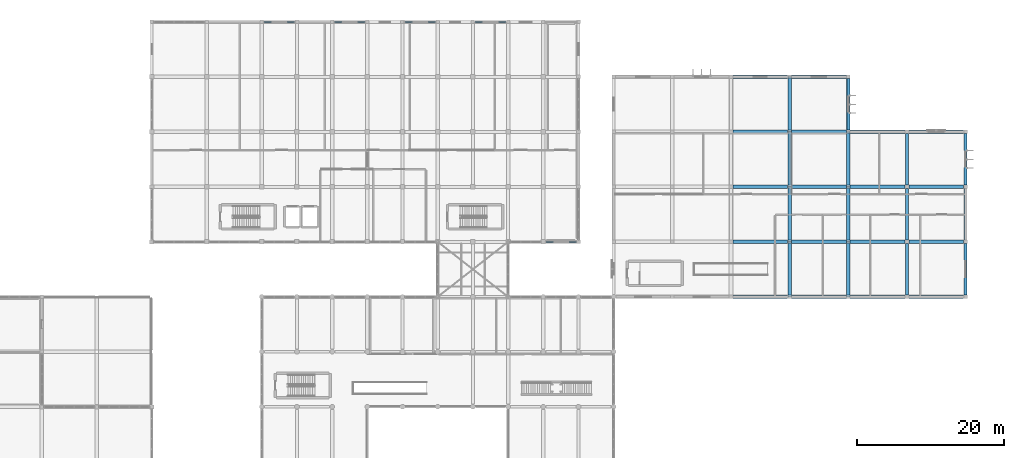
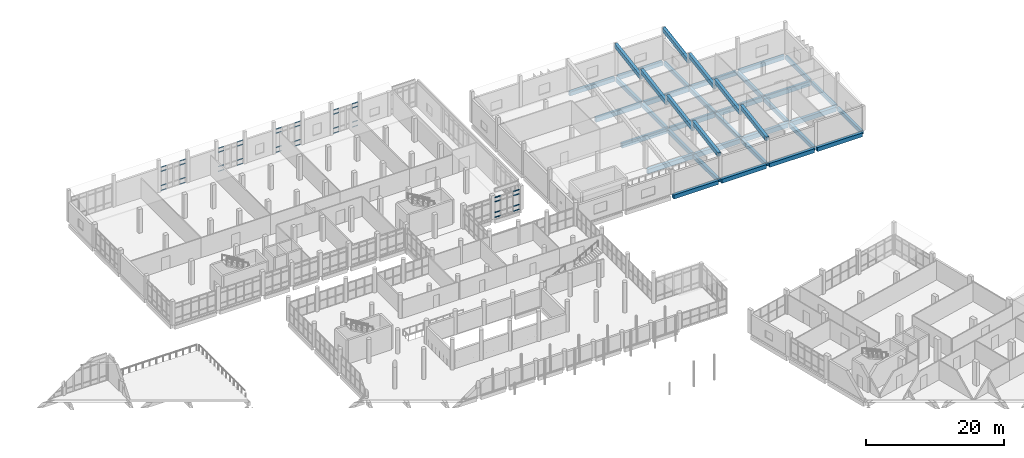
# One storey, part 118 of 164: 40 beams, 40 members, 5 elements without a shape of their own.
"""IFC4 building model written with IfcOpenShell, lengths in metres."""

from ifc_helpers import new_model, si_unit, direction, frame, origin, origin_2d, place, context, subcontext, project, spatial, rectangle, hollow_rectangle, extrude, material, layer, layer_set, material_profile, profile_set, type_object, element, aggregate, save


model = new_model("IFC4")

# Units and contexts
model_context = context("Model", 3, precision=1e-05, world=origin(), true_north=direction((0.0, 1.0)))
body_context = subcontext(model_context, "Body", "Model", "MODEL_VIEW")
ifc_project = project(units=[si_unit("LENGTHUNIT", "METRE"), si_unit("AREAUNIT", "SQUARE_METRE"), si_unit("VOLUMEUNIT", "CUBIC_METRE"), si_unit("PLANEANGLEUNIT", "RADIAN"), si_unit("MASSUNIT", "GRAM", prefix="KILO")], contexts=[model_context])

# Site, building, storey
site_placement = place(None, origin())
site = spatial("IfcSite", under=ifc_project, at=site_placement, CompositionType="ELEMENT")
building_placement = place(site_placement, origin())
building = spatial("IfcBuilding", under=site, at=building_placement, Name="Mawjan Specialist Oncology Clinic", CompositionType="ELEMENT")
storey_placement = place(building_placement, frame((0.0, 0.0, 5.0)))
storey = spatial("IfcBuildingStorey", under=building, at=storey_placement, Name="L01", CompositionType="ELEMENT", Elevation=5.0)

# Beams
ifc_material_1 = material(Name="Concrete C40/50", Category="concrete")
ifc_material_profile_1 = material_profile(ifc_material_1, rectangle(XDim=0.449951171875, YDim=0.699951171875, at=origin_2d()), Name="RC BM 450x700", Category="concrete")
ifc_profile_set_1 = profile_set([ifc_material_profile_1], Name="Concrete C40/50")
beam_type_1 = type_object("IfcBeamType", Name="BM-450x700", PredefinedType="BEAM", material=ifc_profile_set_1)
for number, where, z_axis, x_axis, name in (
    (1, (132.0, 76.06005859375, -0.64990234375), (0.0, 1.0, 0.0), (-1.0, 0.0, 0.0), "L01 Collector Beam BM-L01-0571"),
    (2, (132.0, 83.56005859375, -0.64990234375), (0.0, 1.0, 0.0), (-1.0, 0.0, 0.0), "L01 Collector Beam BM-L01-0572"),
    (3, (132.0, 91.06005859375, -0.64990234375), (0.0, 1.0, 0.0), (-1.0, 0.0, 0.0), "L01 Collector Beam BM-L01-0573"),
    (4, (132.0, 98.56005859375, -0.64990234375), (0.0, 1.0, 0.0), (-1.0, 0.0, 0.0), "L01 Collector Beam BM-L01-0574"),
    (5, (140.0, 76.06005859375, -0.64990234375), (0.0, 1.0, 0.0), (-1.0, 0.0, 0.0), "L01 Collector Beam BM-L01-0575"),
    (6, (140.0, 83.56005859375, -0.64990234375), (0.0, 1.0, 0.0), (-1.0, 0.0, 0.0), "L01 Collector Beam BM-L01-0576"),
    (7, (140.0, 91.06005859375, -0.64990234375), (0.0, 1.0, 0.0), (-1.0, 0.0, 0.0), "L01 Collector Beam BM-L01-0577"),
    (8, (148.0, 76.06005859375, -0.64990234375), (0.0, 1.0, 0.0), (-1.0, 0.0, 0.0), "L01 Collector Beam BM-L01-0579"),
    (9, (148.0, 83.56005859375, -0.64990234375), (0.0, 1.0, 0.0), (-1.0, 0.0, 0.0), "L01 Collector Beam BM-L01-0580"),
    (10, (148.0, 91.06005859375, -0.64990234375), (0.0, 1.0, 0.0), (-1.0, 0.0, 0.0), "L01 Collector Beam BM-L01-0581"),
):
    element("IfcBeam", number, at=place(storey_placement, frame(where, z_axis=z_axis, x_axis=x_axis)), inside=storey, type_object=beam_type_1, Name=name, PredefinedType="BEAM", context=body_context, shape_type="SweptSolid", body=[
        extrude(rectangle(XDim=0.449951171875, YDim=0.699951171875, at=origin_2d()), origin(), (0.0, 0.0, 1.0), 6.97998046875),
    ])
ifc_material_2 = material(Name="Concrete C45/55", Category="concrete")
ifc_material_profile_2 = material_profile(ifc_material_2, rectangle(XDim=0.5, YDim=0.800048828125, at=origin_2d()), Name="RC BM 500x800", Category="concrete")
ifc_profile_set_2 = profile_set([ifc_material_profile_2], Name="Concrete C45/55")
beam_type_2 = type_object("IfcBeamType", Name="BM-500x800", PredefinedType="BEAM", material=ifc_profile_set_2)
for number, where, z_axis, x_axis, name in (
    (11, (124.260009765625, 83.300048828125, -0.699951171875), (1.0, 0.0, 0.0), (0.0, 1.0, 0.0), "L01 Collector Beam BM-L01-0354"),
    (12, (132.260009765625, 83.300048828125, -0.699951171875), (1.0, 0.0, 0.0), (0.0, 1.0, 0.0), "L01 Collector Beam BM-L01-0355"),
    (13, (140.260009765625, 83.300048828125, -0.699951171875), (1.0, 0.0, 0.0), (0.0, 1.0, 0.0), "L01 Collector Beam BM-L01-0356"),
    (14, (148.260009765625, 83.300048828125, -0.699951171875), (1.0, 0.0, 0.0), (0.0, 1.0, 0.0), "L01 Collector Beam BM-L01-0357"),
    (15, (124.260009765625, 90.800048828125, -0.699951171875), (1.0, 0.0, 0.0), (0.0, 1.0, 0.0), "L01 Collector Beam BM-L01-0371"),
    (16, (132.260009765625, 90.800048828125, -0.699951171875), (1.0, 0.0, 0.0), (0.0, 1.0, 0.0), "L01 Collector Beam BM-L01-0372"),
    (17, (140.260009765625, 90.800048828125, -0.699951171875), (1.0, 0.0, 0.0), (0.0, 1.0, 0.0), "L01 Collector Beam BM-L01-0373"),
    (18, (148.260009765625, 90.800048828125, -0.699951171875), (1.0, 0.0, 0.0), (0.0, 1.0, 0.0), "L01 Collector Beam BM-L01-0374"),
    (19, (124.260009765625, 98.300048828125, -0.699951171875), (1.0, 0.0, 0.0), (0.0, 1.0, 0.0), "L01 Collector Beam BM-L01-0388"),
    (20, (132.260009765625, 98.300048828125, -0.699951171875), (1.0, 0.0, 0.0), (0.0, 1.0, 0.0), "L01 Collector Beam BM-L01-0389"),
):
    element("IfcBeam", number, at=place(storey_placement, frame(where, z_axis=z_axis, x_axis=x_axis)), inside=storey, type_object=beam_type_2, Name=name, PredefinedType="BEAM", context=body_context, shape_type="SweptSolid", body=[
        extrude(rectangle(XDim=0.5, YDim=0.800048828125, at=origin_2d()), origin(), (0.0, 0.0, 1.0), 7.47998046875),
    ])

# Curtain wall, members
ifc_material_3 = material(Name="Unitised spectrally selective aluminium curtain wall", Category="aluminium")
ifc_layer_1 = layer(ifc_material_3, 0.179931640625, Name="Unitised spectrally selective aluminium curtain wall", Category="aluminium")
ifc_layer_set_1 = layer_set([ifc_layer_1], Name="Unitised spectrally selective aluminium curtain wall")
curtain_wall_type_1 = type_object("IfcCurtainWallType", Name="CW-66", PredefinedType="NOTDEFINED", material=ifc_layer_set_1)
curtain_wall_1_placement = place(storey_placement, origin())
curtain_wall_1 = element("IfcCurtainWall", 21, at=curtain_wall_1_placement, inside=storey, type_object=curtain_wall_type_1, Name="L01 Unitised Curtain Wall CW-L01-126", PredefinedType="NOTDEFINED")
ifc_material_4 = material(Name="Thermally broken aluminium 6063-T6", Category="aluminium")
ifc_material_profile_3 = material_profile(ifc_material_4, hollow_rectangle(XDim=0.06005859375, YDim=0.1201171875, WallThickness=0.00390625, at=origin_2d()), Name="ALU TRANSOM 120x60x4", Category="aluminium")
ifc_profile_set_3 = profile_set([ifc_material_profile_3], Name="Thermally broken aluminium 6063-T6")
member_type_1 = type_object("IfcMemberType", Name="CW-T120", PredefinedType="USERDEFINED", material=ifc_profile_set_3)
member_1_placement = place(storey_placement, frame((102.8701171875, 83.300048828125, 0.030029296875), z_axis=(-1.0, 0.0, 0.0), x_axis=(0.0, -1.0, 0.0)))
member_1 = element("IfcMember", 22, at=member_1_placement, type_object=member_type_1, Name="CW-66 transom 1.1", ObjectType="TRANSOM", PredefinedType="USERDEFINED", context=body_context, shape_type="SweptSolid", body=[
    extrude(hollow_rectangle(XDim=0.06005859375, YDim=0.1201171875, WallThickness=0.00390625, at=origin_2d()), origin(), (0.0, 0.0, 1.0), 0.962646484375),
])
member_2_placement = place(storey_placement, frame((102.8701171875, 83.300048828125, 0.89990234375), z_axis=(-1.0, 0.0, 0.0), x_axis=(0.0, -1.0, 0.0)))
member_2 = element("IfcMember", 23, at=member_2_placement, type_object=member_type_1, Name="CW-66 transom 1.2", ObjectType="TRANSOM", PredefinedType="USERDEFINED", context=body_context, shape_type="SweptSolid", body=[
    extrude(hollow_rectangle(XDim=0.06005859375, YDim=0.1201171875, WallThickness=0.00390625, at=origin_2d()), origin(), (0.0, 0.0, 1.0), 0.962646484375),
])
member_3_placement = place(storey_placement, frame((102.8701171875, 83.300048828125, 2.784912109375), z_axis=(-1.0, 0.0, 0.0), x_axis=(0.0, -1.0, 0.0)))
member_3 = element("IfcMember", 24, at=member_3_placement, type_object=member_type_1, Name="CW-66 transom 1.3", ObjectType="TRANSOM", PredefinedType="USERDEFINED", context=body_context, shape_type="SweptSolid", body=[
    extrude(hollow_rectangle(XDim=0.06005859375, YDim=0.1201171875, WallThickness=0.00390625, at=origin_2d()), origin(), (0.0, 0.0, 1.0), 0.962646484375),
])
member_4_placement = place(storey_placement, frame((102.8701171875, 83.300048828125, 3.5048828125), z_axis=(-1.0, 0.0, 0.0), x_axis=(0.0, -1.0, 0.0)))
member_4 = element("IfcMember", 25, at=member_4_placement, type_object=member_type_1, Name="CW-66 transom 1.4", ObjectType="TRANSOM", PredefinedType="USERDEFINED", context=body_context, shape_type="SweptSolid", body=[
    extrude(hollow_rectangle(XDim=0.06005859375, YDim=0.1201171875, WallThickness=0.00390625, at=origin_2d()), origin(), (0.0, 0.0, 1.0), 0.962646484375),
])
member_5_placement = place(storey_placement, frame((99.742431640625, 83.300048828125, 0.030029296875), z_axis=(-1.0, 0.0, 0.0), x_axis=(0.0, -1.0, 0.0)))
member_5 = element("IfcMember", 26, at=member_5_placement, type_object=member_type_1, Name="CW-66 transom 4.1", ObjectType="TRANSOM", PredefinedType="USERDEFINED", context=body_context, shape_type="SweptSolid", body=[
    extrude(hollow_rectangle(XDim=0.06005859375, YDim=0.1201171875, WallThickness=0.00390625, at=origin_2d()), origin(), (0.0, 0.0, 1.0), 0.96240234375),
])
member_6_placement = place(storey_placement, frame((99.742431640625, 83.300048828125, 0.89990234375), z_axis=(-1.0, 0.0, 0.0), x_axis=(0.0, -1.0, 0.0)))
member_6 = element("IfcMember", 27, at=member_6_placement, type_object=member_type_1, Name="CW-66 transom 4.2", ObjectType="TRANSOM", PredefinedType="USERDEFINED", context=body_context, shape_type="SweptSolid", body=[
    extrude(hollow_rectangle(XDim=0.06005859375, YDim=0.1201171875, WallThickness=0.00390625, at=origin_2d()), origin(), (0.0, 0.0, 1.0), 0.96240234375),
])
member_7_placement = place(storey_placement, frame((99.742431640625, 83.300048828125, 2.784912109375), z_axis=(-1.0, 0.0, 0.0), x_axis=(0.0, -1.0, 0.0)))
member_7 = element("IfcMember", 28, at=member_7_placement, type_object=member_type_1, Name="CW-66 transom 4.3", ObjectType="TRANSOM", PredefinedType="USERDEFINED", context=body_context, shape_type="SweptSolid", body=[
    extrude(hollow_rectangle(XDim=0.06005859375, YDim=0.1201171875, WallThickness=0.00390625, at=origin_2d()), origin(), (0.0, 0.0, 1.0), 0.96240234375),
])
member_8_placement = place(storey_placement, frame((99.742431640625, 83.300048828125, 3.5048828125), z_axis=(-1.0, 0.0, 0.0), x_axis=(0.0, -1.0, 0.0)))
member_8 = element("IfcMember", 29, at=member_8_placement, type_object=member_type_1, Name="CW-66 transom 4.4", ObjectType="TRANSOM", PredefinedType="USERDEFINED", context=body_context, shape_type="SweptSolid", body=[
    extrude(hollow_rectangle(XDim=0.06005859375, YDim=0.1201171875, WallThickness=0.00390625, at=origin_2d()), origin(), (0.0, 0.0, 1.0), 0.96240234375),
])
aggregate(curtain_wall_1, [member_1, member_2, member_3, member_4, member_5, member_6, member_7, member_8])

ifc_material_5 = material(Name="Unitised spectrally selective aluminium curtain wall", Category="aluminium")
ifc_layer_2 = layer(ifc_material_5, 0.179931640625, Name="Unitised spectrally selective aluminium curtain wall", Category="aluminium")
ifc_layer_set_2 = layer_set([ifc_layer_2], Name="Unitised spectrally selective aluminium curtain wall")
curtain_wall_type_2 = type_object("IfcCurtainWallType", Name="CW-63", PredefinedType="NOTDEFINED", material=ifc_layer_set_2)
curtain_wall_2_placement = place(storey_placement, origin())
curtain_wall_2 = element("IfcCurtainWall", 30, at=curtain_wall_2_placement, inside=storey, type_object=curtain_wall_type_2, Name="L01 Unitised Curtain Wall CW-L01-119", PredefinedType="NOTDEFINED")
ifc_material_6 = material(Name="Thermally broken aluminium 6063-T6", Category="aluminium")
ifc_material_profile_4 = material_profile(ifc_material_6, hollow_rectangle(XDim=0.070068359375, YDim=0.159912109375, WallThickness=0.00390625, at=origin_2d()), Name="ALU TRANSOM 160x70x4", Category="aluminium")
ifc_profile_set_4 = profile_set([ifc_material_profile_4], Name="Thermally broken aluminium 6063-T6")
member_type_2 = type_object("IfcMemberType", Name="CW-T160", PredefinedType="USERDEFINED", material=ifc_profile_set_4)
member_9_placement = place(storey_placement, frame((60.340087890625, 113.300048828125, 0.034912109375), z_axis=(1.0, 0.0, 0.0), x_axis=(0.0, 1.0, 0.0)))
member_9 = element("IfcMember", 31, at=member_9_placement, type_object=member_type_2, Name="CW-63 transom 1.1", ObjectType="TRANSOM", PredefinedType="USERDEFINED", context=body_context, shape_type="SweptSolid", body=[
    extrude(hollow_rectangle(XDim=0.070068359375, YDim=0.159912109375, WallThickness=0.00390625, at=origin_2d()), origin(), (0.0, 0.0, 1.0), 0.9599609375),
])
member_10_placement = place(storey_placement, frame((60.340087890625, 113.300048828125, 0.89990234375), z_axis=(1.0, 0.0, 0.0), x_axis=(0.0, 1.0, 0.0)))
member_10 = element("IfcMember", 32, at=member_10_placement, type_object=member_type_2, Name="CW-63 transom 1.2", ObjectType="TRANSOM", PredefinedType="USERDEFINED", context=body_context, shape_type="SweptSolid", body=[
    extrude(hollow_rectangle(XDim=0.070068359375, YDim=0.159912109375, WallThickness=0.00390625, at=origin_2d()), origin(), (0.0, 0.0, 1.0), 0.9599609375),
])
member_11_placement = place(storey_placement, frame((60.340087890625, 113.300048828125, 3.419921875), z_axis=(1.0, 0.0, 0.0), x_axis=(0.0, 1.0, 0.0)))
member_11 = element("IfcMember", 33, at=member_11_placement, type_object=member_type_2, Name="CW-63 transom 1.3", ObjectType="TRANSOM", PredefinedType="USERDEFINED", context=body_context, shape_type="SweptSolid", body=[
    extrude(hollow_rectangle(XDim=0.070068359375, YDim=0.159912109375, WallThickness=0.00390625, at=origin_2d()), origin(), (0.0, 0.0, 1.0), 0.9599609375),
])
member_12_placement = place(storey_placement, frame((60.340087890625, 113.300048828125, 4.135009765625), z_axis=(1.0, 0.0, 0.0), x_axis=(0.0, 1.0, 0.0)))
member_12 = element("IfcMember", 34, at=member_12_placement, type_object=member_type_2, Name="CW-63 transom 1.4", ObjectType="TRANSOM", PredefinedType="USERDEFINED", context=body_context, shape_type="SweptSolid", body=[
    extrude(hollow_rectangle(XDim=0.070068359375, YDim=0.159912109375, WallThickness=0.00390625, at=origin_2d()), origin(), (0.0, 0.0, 1.0), 0.9599609375),
])
member_13_placement = place(storey_placement, frame((63.5, 113.300048828125, 0.034912109375), z_axis=(1.0, 0.0, 0.0), x_axis=(0.0, 1.0, 0.0)))
member_13 = element("IfcMember", 35, at=member_13_placement, type_object=member_type_2, Name="CW-63 transom 4.1", ObjectType="TRANSOM", PredefinedType="USERDEFINED", context=body_context, shape_type="SweptSolid", body=[
    extrude(hollow_rectangle(XDim=0.070068359375, YDim=0.159912109375, WallThickness=0.00390625, at=origin_2d()), origin(), (0.0, 0.0, 1.0), 0.9599609375),
])
member_14_placement = place(storey_placement, frame((63.5, 113.300048828125, 0.89990234375), z_axis=(1.0, 0.0, 0.0), x_axis=(0.0, 1.0, 0.0)))
member_14 = element("IfcMember", 36, at=member_14_placement, type_object=member_type_2, Name="CW-63 transom 4.2", ObjectType="TRANSOM", PredefinedType="USERDEFINED", context=body_context, shape_type="SweptSolid", body=[
    extrude(hollow_rectangle(XDim=0.070068359375, YDim=0.159912109375, WallThickness=0.00390625, at=origin_2d()), origin(), (0.0, 0.0, 1.0), 0.9599609375),
])
member_15_placement = place(storey_placement, frame((63.5, 113.300048828125, 3.419921875), z_axis=(1.0, 0.0, 0.0), x_axis=(0.0, 1.0, 0.0)))
member_15 = element("IfcMember", 37, at=member_15_placement, type_object=member_type_2, Name="CW-63 transom 4.3", ObjectType="TRANSOM", PredefinedType="USERDEFINED", context=body_context, shape_type="SweptSolid", body=[
    extrude(hollow_rectangle(XDim=0.070068359375, YDim=0.159912109375, WallThickness=0.00390625, at=origin_2d()), origin(), (0.0, 0.0, 1.0), 0.9599609375),
])
member_16_placement = place(storey_placement, frame((63.5, 113.300048828125, 4.135009765625), z_axis=(1.0, 0.0, 0.0), x_axis=(0.0, 1.0, 0.0)))
member_16 = element("IfcMember", 38, at=member_16_placement, type_object=member_type_2, Name="CW-63 transom 4.4", ObjectType="TRANSOM", PredefinedType="USERDEFINED", context=body_context, shape_type="SweptSolid", body=[
    extrude(hollow_rectangle(XDim=0.070068359375, YDim=0.159912109375, WallThickness=0.00390625, at=origin_2d()), origin(), (0.0, 0.0, 1.0), 0.9599609375),
])
aggregate(curtain_wall_2, [member_9, member_10, member_11, member_12, member_13, member_14, member_15, member_16])

curtain_wall_3_placement = place(storey_placement, origin())
curtain_wall_3 = element("IfcCurtainWall", 39, at=curtain_wall_3_placement, inside=storey, type_object=curtain_wall_type_2, Name="L01 Unitised Curtain Wall CW-L01-120", PredefinedType="NOTDEFINED")
member_17_placement = place(storey_placement, frame((69.93994140625, 113.300048828125, 0.034912109375), z_axis=(1.0, 0.0, 0.0), x_axis=(0.0, 1.0, 0.0)))
member_17 = element("IfcMember", 40, at=member_17_placement, type_object=member_type_2, Name="CW-63 transom 1.1", ObjectType="TRANSOM", PredefinedType="USERDEFINED", context=body_context, shape_type="SweptSolid", body=[
    extrude(hollow_rectangle(XDim=0.070068359375, YDim=0.159912109375, WallThickness=0.00390625, at=origin_2d()), origin(), (0.0, 0.0, 1.0), 0.9599609375),
])
member_18_placement = place(storey_placement, frame((69.93994140625, 113.300048828125, 0.89990234375), z_axis=(1.0, 0.0, 0.0), x_axis=(0.0, 1.0, 0.0)))
member_18 = element("IfcMember", 41, at=member_18_placement, type_object=member_type_2, Name="CW-63 transom 1.2", ObjectType="TRANSOM", PredefinedType="USERDEFINED", context=body_context, shape_type="SweptSolid", body=[
    extrude(hollow_rectangle(XDim=0.070068359375, YDim=0.159912109375, WallThickness=0.00390625, at=origin_2d()), origin(), (0.0, 0.0, 1.0), 0.9599609375),
])
member_19_placement = place(storey_placement, frame((69.93994140625, 113.300048828125, 3.419921875), z_axis=(1.0, 0.0, 0.0), x_axis=(0.0, 1.0, 0.0)))
member_19 = element("IfcMember", 42, at=member_19_placement, type_object=member_type_2, Name="CW-63 transom 1.3", ObjectType="TRANSOM", PredefinedType="USERDEFINED", context=body_context, shape_type="SweptSolid", body=[
    extrude(hollow_rectangle(XDim=0.070068359375, YDim=0.159912109375, WallThickness=0.00390625, at=origin_2d()), origin(), (0.0, 0.0, 1.0), 0.9599609375),
])
member_20_placement = place(storey_placement, frame((69.93994140625, 113.300048828125, 4.135009765625), z_axis=(1.0, 0.0, 0.0), x_axis=(0.0, 1.0, 0.0)))
member_20 = element("IfcMember", 43, at=member_20_placement, type_object=member_type_2, Name="CW-63 transom 1.4", ObjectType="TRANSOM", PredefinedType="USERDEFINED", context=body_context, shape_type="SweptSolid", body=[
    extrude(hollow_rectangle(XDim=0.070068359375, YDim=0.159912109375, WallThickness=0.00390625, at=origin_2d()), origin(), (0.0, 0.0, 1.0), 0.9599609375),
])
member_21_placement = place(storey_placement, frame((73.10009765625, 113.300048828125, 0.034912109375), z_axis=(1.0, 0.0, 0.0), x_axis=(0.0, 1.0, 0.0)))
member_21 = element("IfcMember", 44, at=member_21_placement, type_object=member_type_2, Name="CW-63 transom 4.1", ObjectType="TRANSOM", PredefinedType="USERDEFINED", context=body_context, shape_type="SweptSolid", body=[
    extrude(hollow_rectangle(XDim=0.070068359375, YDim=0.159912109375, WallThickness=0.00390625, at=origin_2d()), origin(), (0.0, 0.0, 1.0), 0.9599609375),
])
member_22_placement = place(storey_placement, frame((73.10009765625, 113.300048828125, 0.89990234375), z_axis=(1.0, 0.0, 0.0), x_axis=(0.0, 1.0, 0.0)))
member_22 = element("IfcMember", 45, at=member_22_placement, type_object=member_type_2, Name="CW-63 transom 4.2", ObjectType="TRANSOM", PredefinedType="USERDEFINED", context=body_context, shape_type="SweptSolid", body=[
    extrude(hollow_rectangle(XDim=0.070068359375, YDim=0.159912109375, WallThickness=0.00390625, at=origin_2d()), origin(), (0.0, 0.0, 1.0), 0.9599609375),
])
member_23_placement = place(storey_placement, frame((73.10009765625, 113.300048828125, 3.419921875), z_axis=(1.0, 0.0, 0.0), x_axis=(0.0, 1.0, 0.0)))
member_23 = element("IfcMember", 46, at=member_23_placement, type_object=member_type_2, Name="CW-63 transom 4.3", ObjectType="TRANSOM", PredefinedType="USERDEFINED", context=body_context, shape_type="SweptSolid", body=[
    extrude(hollow_rectangle(XDim=0.070068359375, YDim=0.159912109375, WallThickness=0.00390625, at=origin_2d()), origin(), (0.0, 0.0, 1.0), 0.9599609375),
])
member_24_placement = place(storey_placement, frame((73.10009765625, 113.300048828125, 4.135009765625), z_axis=(1.0, 0.0, 0.0), x_axis=(0.0, 1.0, 0.0)))
member_24 = element("IfcMember", 47, at=member_24_placement, type_object=member_type_2, Name="CW-63 transom 4.4", ObjectType="TRANSOM", PredefinedType="USERDEFINED", context=body_context, shape_type="SweptSolid", body=[
    extrude(hollow_rectangle(XDim=0.070068359375, YDim=0.159912109375, WallThickness=0.00390625, at=origin_2d()), origin(), (0.0, 0.0, 1.0), 0.9599609375),
])
aggregate(curtain_wall_3, [member_17, member_18, member_19, member_20, member_21, member_22, member_23, member_24])

curtain_wall_4_placement = place(storey_placement, origin())
curtain_wall_4 = element("IfcCurtainWall", 48, at=curtain_wall_4_placement, inside=storey, type_object=curtain_wall_type_2, Name="L01 Unitised Curtain Wall CW-L01-121", PredefinedType="NOTDEFINED")
member_25_placement = place(storey_placement, frame((79.5400390625, 113.300048828125, 0.034912109375), z_axis=(1.0, 0.0, 0.0), x_axis=(0.0, 1.0, 0.0)))
member_25 = element("IfcMember", 49, at=member_25_placement, type_object=member_type_2, Name="CW-63 transom 1.1", ObjectType="TRANSOM", PredefinedType="USERDEFINED", context=body_context, shape_type="SweptSolid", body=[
    extrude(hollow_rectangle(XDim=0.070068359375, YDim=0.159912109375, WallThickness=0.00390625, at=origin_2d()), origin(), (0.0, 0.0, 1.0), 0.9599609375),
])
member_26_placement = place(storey_placement, frame((79.5400390625, 113.300048828125, 0.89990234375), z_axis=(1.0, 0.0, 0.0), x_axis=(0.0, 1.0, 0.0)))
member_26 = element("IfcMember", 50, at=member_26_placement, type_object=member_type_2, Name="CW-63 transom 1.2", ObjectType="TRANSOM", PredefinedType="USERDEFINED", context=body_context, shape_type="SweptSolid", body=[
    extrude(hollow_rectangle(XDim=0.070068359375, YDim=0.159912109375, WallThickness=0.00390625, at=origin_2d()), origin(), (0.0, 0.0, 1.0), 0.9599609375),
])
member_27_placement = place(storey_placement, frame((79.5400390625, 113.300048828125, 3.419921875), z_axis=(1.0, 0.0, 0.0), x_axis=(0.0, 1.0, 0.0)))
member_27 = element("IfcMember", 51, at=member_27_placement, type_object=member_type_2, Name="CW-63 transom 1.3", ObjectType="TRANSOM", PredefinedType="USERDEFINED", context=body_context, shape_type="SweptSolid", body=[
    extrude(hollow_rectangle(XDim=0.070068359375, YDim=0.159912109375, WallThickness=0.00390625, at=origin_2d()), origin(), (0.0, 0.0, 1.0), 0.9599609375),
])
member_28_placement = place(storey_placement, frame((79.5400390625, 113.300048828125, 4.135009765625), z_axis=(1.0, 0.0, 0.0), x_axis=(0.0, 1.0, 0.0)))
member_28 = element("IfcMember", 52, at=member_28_placement, type_object=member_type_2, Name="CW-63 transom 1.4", ObjectType="TRANSOM", PredefinedType="USERDEFINED", context=body_context, shape_type="SweptSolid", body=[
    extrude(hollow_rectangle(XDim=0.070068359375, YDim=0.159912109375, WallThickness=0.00390625, at=origin_2d()), origin(), (0.0, 0.0, 1.0), 0.9599609375),
])
member_29_placement = place(storey_placement, frame((82.699951171875, 113.300048828125, 0.034912109375), z_axis=(1.0, 0.0, 0.0), x_axis=(0.0, 1.0, 0.0)))
member_29 = element("IfcMember", 53, at=member_29_placement, type_object=member_type_2, Name="CW-63 transom 4.1", ObjectType="TRANSOM", PredefinedType="USERDEFINED", context=body_context, shape_type="SweptSolid", body=[
    extrude(hollow_rectangle(XDim=0.070068359375, YDim=0.159912109375, WallThickness=0.00390625, at=origin_2d()), origin(), (0.0, 0.0, 1.0), 0.9599609375),
])
member_30_placement = place(storey_placement, frame((82.699951171875, 113.300048828125, 0.89990234375), z_axis=(1.0, 0.0, 0.0), x_axis=(0.0, 1.0, 0.0)))
member_30 = element("IfcMember", 54, at=member_30_placement, type_object=member_type_2, Name="CW-63 transom 4.2", ObjectType="TRANSOM", PredefinedType="USERDEFINED", context=body_context, shape_type="SweptSolid", body=[
    extrude(hollow_rectangle(XDim=0.070068359375, YDim=0.159912109375, WallThickness=0.00390625, at=origin_2d()), origin(), (0.0, 0.0, 1.0), 0.9599609375),
])
member_31_placement = place(storey_placement, frame((82.699951171875, 113.300048828125, 3.419921875), z_axis=(1.0, 0.0, 0.0), x_axis=(0.0, 1.0, 0.0)))
member_31 = element("IfcMember", 55, at=member_31_placement, type_object=member_type_2, Name="CW-63 transom 4.3", ObjectType="TRANSOM", PredefinedType="USERDEFINED", context=body_context, shape_type="SweptSolid", body=[
    extrude(hollow_rectangle(XDim=0.070068359375, YDim=0.159912109375, WallThickness=0.00390625, at=origin_2d()), origin(), (0.0, 0.0, 1.0), 0.9599609375),
])
member_32_placement = place(storey_placement, frame((82.699951171875, 113.300048828125, 4.135009765625), z_axis=(1.0, 0.0, 0.0), x_axis=(0.0, 1.0, 0.0)))
member_32 = element("IfcMember", 56, at=member_32_placement, type_object=member_type_2, Name="CW-63 transom 4.4", ObjectType="TRANSOM", PredefinedType="USERDEFINED", context=body_context, shape_type="SweptSolid", body=[
    extrude(hollow_rectangle(XDim=0.070068359375, YDim=0.159912109375, WallThickness=0.00390625, at=origin_2d()), origin(), (0.0, 0.0, 1.0), 0.9599609375),
])
aggregate(curtain_wall_4, [member_25, member_26, member_27, member_28, member_29, member_30, member_31, member_32])

curtain_wall_5_placement = place(storey_placement, origin())
curtain_wall_5 = element("IfcCurtainWall", 57, at=curtain_wall_5_placement, inside=storey, type_object=curtain_wall_type_2, Name="L01 Unitised Curtain Wall CW-L01-122", PredefinedType="NOTDEFINED")
member_33_placement = place(storey_placement, frame((89.139892578125, 113.300048828125, 0.034912109375), z_axis=(1.0, 0.0, 0.0), x_axis=(0.0, 1.0, 0.0)))
member_33 = element("IfcMember", 58, at=member_33_placement, type_object=member_type_2, Name="CW-63 transom 1.1", ObjectType="TRANSOM", PredefinedType="USERDEFINED", context=body_context, shape_type="SweptSolid", body=[
    extrude(hollow_rectangle(XDim=0.070068359375, YDim=0.159912109375, WallThickness=0.00390625, at=origin_2d()), origin(), (0.0, 0.0, 1.0), 0.960205078125),
])
member_34_placement = place(storey_placement, frame((89.139892578125, 113.300048828125, 0.89990234375), z_axis=(1.0, 0.0, 0.0), x_axis=(0.0, 1.0, 0.0)))
member_34 = element("IfcMember", 59, at=member_34_placement, type_object=member_type_2, Name="CW-63 transom 1.2", ObjectType="TRANSOM", PredefinedType="USERDEFINED", context=body_context, shape_type="SweptSolid", body=[
    extrude(hollow_rectangle(XDim=0.070068359375, YDim=0.159912109375, WallThickness=0.00390625, at=origin_2d()), origin(), (0.0, 0.0, 1.0), 0.960205078125),
])
member_35_placement = place(storey_placement, frame((89.139892578125, 113.300048828125, 3.419921875), z_axis=(1.0, 0.0, 0.0), x_axis=(0.0, 1.0, 0.0)))
member_35 = element("IfcMember", 60, at=member_35_placement, type_object=member_type_2, Name="CW-63 transom 1.3", ObjectType="TRANSOM", PredefinedType="USERDEFINED", context=body_context, shape_type="SweptSolid", body=[
    extrude(hollow_rectangle(XDim=0.070068359375, YDim=0.159912109375, WallThickness=0.00390625, at=origin_2d()), origin(), (0.0, 0.0, 1.0), 0.960205078125),
])
member_36_placement = place(storey_placement, frame((89.139892578125, 113.300048828125, 4.135009765625), z_axis=(1.0, 0.0, 0.0), x_axis=(0.0, 1.0, 0.0)))
member_36 = element("IfcMember", 61, at=member_36_placement, type_object=member_type_2, Name="CW-63 transom 1.4", ObjectType="TRANSOM", PredefinedType="USERDEFINED", context=body_context, shape_type="SweptSolid", body=[
    extrude(hollow_rectangle(XDim=0.070068359375, YDim=0.159912109375, WallThickness=0.00390625, at=origin_2d()), origin(), (0.0, 0.0, 1.0), 0.960205078125),
])
member_37_placement = place(storey_placement, frame((92.300048828125, 113.300048828125, 0.034912109375), z_axis=(1.0, 0.0, 0.0), x_axis=(0.0, 1.0, 0.0)))
member_37 = element("IfcMember", 62, at=member_37_placement, type_object=member_type_2, Name="CW-63 transom 4.1", ObjectType="TRANSOM", PredefinedType="USERDEFINED", context=body_context, shape_type="SweptSolid", body=[
    extrude(hollow_rectangle(XDim=0.070068359375, YDim=0.159912109375, WallThickness=0.00390625, at=origin_2d()), origin(), (0.0, 0.0, 1.0), 0.9599609375),
])
member_38_placement = place(storey_placement, frame((92.300048828125, 113.300048828125, 0.89990234375), z_axis=(1.0, 0.0, 0.0), x_axis=(0.0, 1.0, 0.0)))
member_38 = element("IfcMember", 63, at=member_38_placement, type_object=member_type_2, Name="CW-63 transom 4.2", ObjectType="TRANSOM", PredefinedType="USERDEFINED", context=body_context, shape_type="SweptSolid", body=[
    extrude(hollow_rectangle(XDim=0.070068359375, YDim=0.159912109375, WallThickness=0.00390625, at=origin_2d()), origin(), (0.0, 0.0, 1.0), 0.9599609375),
])
member_39_placement = place(storey_placement, frame((92.300048828125, 113.300048828125, 3.419921875), z_axis=(1.0, 0.0, 0.0), x_axis=(0.0, 1.0, 0.0)))
member_39 = element("IfcMember", 64, at=member_39_placement, type_object=member_type_2, Name="CW-63 transom 4.3", ObjectType="TRANSOM", PredefinedType="USERDEFINED", context=body_context, shape_type="SweptSolid", body=[
    extrude(hollow_rectangle(XDim=0.070068359375, YDim=0.159912109375, WallThickness=0.00390625, at=origin_2d()), origin(), (0.0, 0.0, 1.0), 0.9599609375),
])
member_40_placement = place(storey_placement, frame((92.300048828125, 113.300048828125, 4.135009765625), z_axis=(1.0, 0.0, 0.0), x_axis=(0.0, 1.0, 0.0)))
member_40 = element("IfcMember", 65, at=member_40_placement, type_object=member_type_2, Name="CW-63 transom 4.4", ObjectType="TRANSOM", PredefinedType="USERDEFINED", context=body_context, shape_type="SweptSolid", body=[
    extrude(hollow_rectangle(XDim=0.070068359375, YDim=0.159912109375, WallThickness=0.00390625, at=origin_2d()), origin(), (0.0, 0.0, 1.0), 0.9599609375),
])
aggregate(curtain_wall_5, [member_33, member_34, member_35, member_36, member_37, member_38, member_39, member_40])

# Beams
ifc_material_7 = material(Name="Concrete C45/55", Category="concrete")
ifc_material_profile_5 = material_profile(ifc_material_7, rectangle(XDim=0.39990234375, YDim=0.64990234375, at=origin_2d()), Name="RC BM 400x650", Category="concrete")
ifc_profile_set_5 = profile_set([ifc_material_profile_5], Name="Concrete C45/55")
beam_type_3 = type_object("IfcBeamType", Name="SP-400x650", PredefinedType="SPANDREL", material=ifc_profile_set_5)
for number, where, z_axis, x_axis, name in (
    (66, (140.0, 98.56005859375, -0.625), (0.0, 1.0, 0.0), (-1.0, 0.0, 0.0), "L01 Spandrel Beam BM-L01-0578"),
    (67, (156.0, 76.06005859375, -0.625), (0.0, 1.0, 0.0), (-1.0, 0.0, 0.0), "L01 Spandrel Beam BM-L01-0582"),
    (68, (156.0, 83.56005859375, -0.625), (0.0, 1.0, 0.0), (-1.0, 0.0, 0.0), "L01 Spandrel Beam BM-L01-0583"),
    (69, (156.0, 91.06005859375, -0.625), (0.0, 1.0, 0.0), (-1.0, 0.0, 0.0), "L01 Spandrel Beam BM-L01-0584"),
):
    element("IfcBeam", number, at=place(storey_placement, frame(where, z_axis=z_axis, x_axis=x_axis)), inside=storey, type_object=beam_type_3, Name=name, PredefinedType="SPANDREL", context=body_context, shape_type="SweptSolid", body=[
        extrude(rectangle(XDim=0.39990234375, YDim=0.64990234375, at=origin_2d()), origin(), (0.0, 0.0, 1.0), 6.97998046875),
    ])
ifc_material_8 = material(Name="Concrete C45/55", Category="concrete")
ifc_material_profile_6 = material_profile(ifc_material_8, rectangle(XDim=0.5, YDim=0.699951171875, at=origin_2d()), Name="RC BM 500x700", Category="concrete")
ifc_profile_set_6 = profile_set([ifc_material_profile_6], Name="Concrete C45/55")
beam_type_4 = type_object("IfcBeamType", Name="SP-500x700", PredefinedType="SPANDREL", material=ifc_profile_set_6)
for number, where, z_axis, x_axis, name in (
    (70, (124.260009765625, 75.800048828125, -0.64990234375), (1.0, 0.0, 0.0), (0.0, 1.0, 0.0), "L01 Spandrel Beam BM-L01-0337"),
    (71, (132.260009765625, 75.800048828125, -0.64990234375), (1.0, 0.0, 0.0), (0.0, 1.0, 0.0), "L01 Spandrel Beam BM-L01-0338"),
    (72, (140.260009765625, 75.800048828125, -0.64990234375), (1.0, 0.0, 0.0), (0.0, 1.0, 0.0), "L01 Spandrel Beam BM-L01-0339"),
    (73, (148.260009765625, 75.800048828125, -0.64990234375), (1.0, 0.0, 0.0), (0.0, 1.0, 0.0), "L01 Spandrel Beam BM-L01-0340"),
    (74, (140.260009765625, 98.300048828125, -0.64990234375), (1.0, 0.0, 0.0), (0.0, 1.0, 0.0), "L01 Spandrel Beam BM-L01-0390"),
    (75, (148.260009765625, 98.300048828125, -0.64990234375), (1.0, 0.0, 0.0), (0.0, 1.0, 0.0), "L01 Spandrel Beam BM-L01-0391"),
    (76, (124.260009765625, 105.800048828125, -0.64990234375), (1.0, 0.0, 0.0), (0.0, 1.0, 0.0), "L01 Spandrel Beam BM-L01-0405"),
    (77, (132.260009765625, 105.800048828125, -0.64990234375), (1.0, 0.0, 0.0), (0.0, 1.0, 0.0), "L01 Spandrel Beam BM-L01-0406"),
):
    element("IfcBeam", number, at=place(storey_placement, frame(where, z_axis=z_axis, x_axis=x_axis)), inside=storey, type_object=beam_type_4, Name=name, PredefinedType="SPANDREL", context=body_context, shape_type="SweptSolid", body=[
        extrude(rectangle(XDim=0.5, YDim=0.699951171875, at=origin_2d()), origin(), (0.0, 0.0, 1.0), 7.47998046875),
    ])
ifc_material_9 = material(Name="Precast concrete C45/55", Category="concrete")
ifc_material_profile_7 = material_profile(ifc_material_9, rectangle(XDim=0.47998046875, YDim=0.719970703125, at=origin_2d()), Name="RC TBM 480x720", Category="concrete")
ifc_profile_set_7 = profile_set([ifc_material_profile_7], Name="Precast concrete C45/55")
beam_type_5 = type_object("IfcBeamType", Name="TBM-SAW", PredefinedType="T_BEAM", material=ifc_profile_set_7)
for number, where, z_axis, x_axis, name in (
    (78, (132.0, 75.800048828125, 4.030029296875), (0.0, 0.987441634807, 0.157984232913), (-1.0, 0.0, 0.0), "Sawtooth Precast T-Beam 1-132"),
    (79, (140.0, 75.800048828125, 4.030029296875), (0.0, 0.987441634807, 0.157984232913), (-1.0, 0.0, 0.0), "Sawtooth Precast T-Beam 1-140"),
    (80, (132.0, 83.300048828125, 4.030029296875), (0.0, 0.987441634807, 0.157984232913), (-1.0, 0.0, 0.0), "Sawtooth Precast T-Beam 2-132"),
    (81, (140.0, 83.300048828125, 4.030029296875), (0.0, 0.987441634807, 0.157984232913), (-1.0, 0.0, 0.0), "Sawtooth Precast T-Beam 2-140"),
    (82, (132.0, 90.800048828125, 4.030029296875), (0.0, 0.987441634807, 0.157984232913), (-1.0, 0.0, 0.0), "Sawtooth Precast T-Beam 3-132"),
    (83, (140.0, 90.800048828125, 4.030029296875), (0.0, 0.987441634807, 0.157984232913), (-1.0, 0.0, 0.0), "Sawtooth Precast T-Beam 3-140"),
    (84, (132.0, 98.300048828125, 4.030029296875), (0.0, 0.987441634807, 0.157984232913), (-1.0, 0.0, 0.0), "Sawtooth Precast T-Beam 4-132"),
    (85, (140.0, 98.300048828125, 4.030029296875), (0.0, 0.987441634807, 0.157984232913), (-1.0, 0.0, 0.0), "Sawtooth Precast T-Beam 4-140"),
):
    element("IfcBeam", number, at=place(storey_placement, frame(where, z_axis=z_axis, x_axis=x_axis)), inside=storey, type_object=beam_type_5, Name=name, PredefinedType="T_BEAM", context=body_context, shape_type="SweptSolid", body=[
        extrude(rectangle(XDim=0.47998046875, YDim=0.719970703125, at=origin_2d()), origin(), (0.0, 0.0, 1.0), 7.595458984375),
    ])

save(model, "model.ifc")
